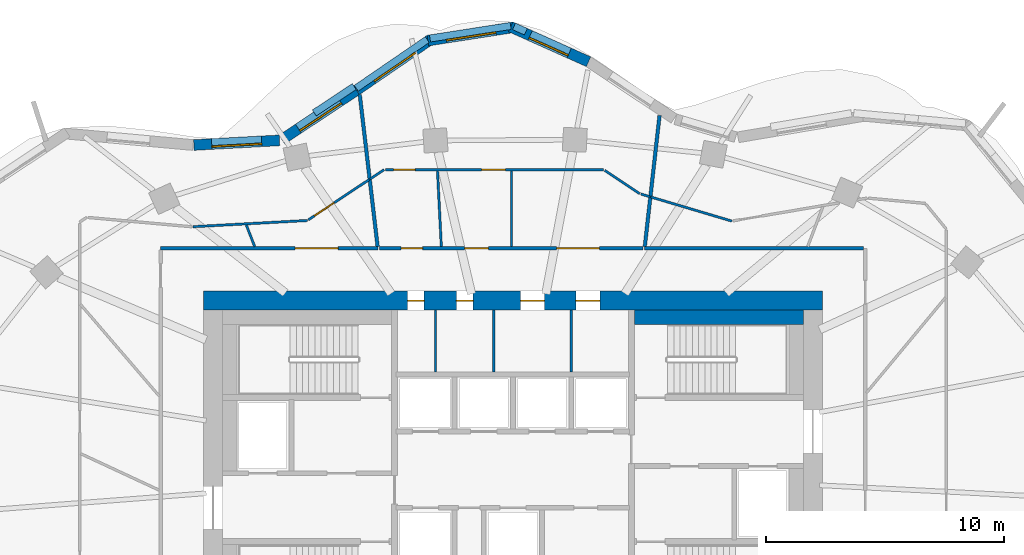
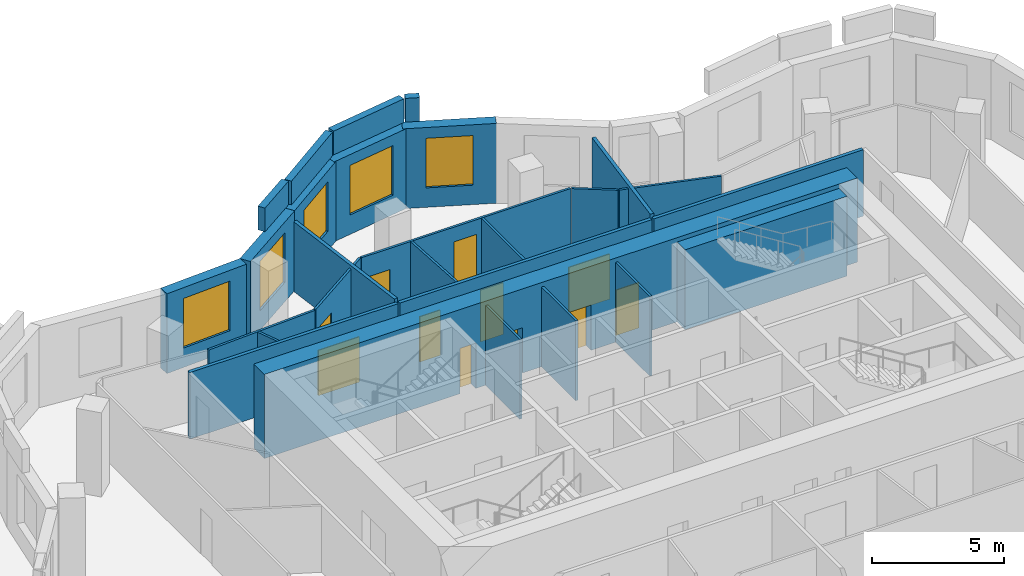
# One storey, part 7 of 9: 29 walls, 11 doors, 5 windows, 16 openings.
"""IFC4 building model written with IfcOpenShell, lengths in metres."""

from ifc_helpers import new_model, si_unit, direction, frame, frame_2d, origin, place, context, subcontext, project, spatial, rectangle, extrude, material, layer, layer_set, type_object, element, fill, save


model = new_model("IFC4")

# Units and contexts
model_context = context("Model", 3, precision=1e-05, world=origin(), true_north=direction((0.0, 1.0)))
body_context = subcontext(model_context, "Body", "Model", "MODEL_VIEW")
ifc_project = project(units=[si_unit("LENGTHUNIT", "METRE"), si_unit("AREAUNIT", "SQUARE_METRE"), si_unit("VOLUMEUNIT", "CUBIC_METRE"), si_unit("PLANEANGLEUNIT", "RADIAN"), si_unit("MASSUNIT", "GRAM", prefix="KILO")], contexts=[model_context])

# Site, building, storey
site_placement = place(None, origin())
site = spatial("IfcSite", under=ifc_project, at=site_placement, CompositionType="ELEMENT")
building_placement = place(site_placement, origin())
building = spatial("IfcBuilding", under=site, at=building_placement, Name="Rubra Terraces Tower", CompositionType="ELEMENT")
storey_placement = place(building_placement, frame((0.0, 0.0, 229.199951171875)))
storey = spatial("IfcBuildingStorey", under=building, at=storey_placement, Name="L56", CompositionType="ELEMENT", Elevation=229.199951171875)

# Wall, opening, window
ifc_material_1 = material(Name="Brick masonry red-brown", Category="masonry")
ifc_layer_1 = layer(ifc_material_1, 0.449951171875)
ifc_layer_set_1 = layer_set([ifc_layer_1], Name="Brick masonry red-brown")
wall_type_1 = type_object("IfcWallType", Name="Brick facade wall 450", PredefinedType="SOLIDWALL", material=ifc_layer_set_1)
wall_1_placement = place(storey_placement, frame((3.179443359375, 21.63623046875, 0.0), z_axis=(0.0, 0.0, 1.0), x_axis=(-0.912608353595, 0.40883492139, 0.0)))
wall_1 = element("IfcWall", 1, at=wall_1_placement, inside=storey, type_object=wall_type_1, Name="Facade wall L56 bay 10", PredefinedType="SOLIDWALL", context=body_context, shape_type="SweptSolid", body=[
    extrude(rectangle(XDim=3.584716796875, YDim=0.449951171875, at=frame_2d((1.79248046875, 0.0))), origin(), (0.0, 0.0, 1.0), 3.699951171875),
])
opening_1_placement = place(wall_1_placement, frame((0.892333984375, 0.0, 0.89990234375)))
opening_1 = element("IfcOpeningElement", 2, at=opening_1_placement, cuts=wall_1, Name="Opening W6B", PredefinedType="OPENING", context=body_context, shape_type="SweptSolid", body=[
    extrude(rectangle(XDim=1.800048828125, YDim=2.300048828125, at=frame_2d((0.89990234375, 1.14990234375))), frame((0.0, 0.23486328125, 0.0), z_axis=(0.0, -1.0, 0.0), x_axis=(1.0, 0.0, 0.0)), (0.0, 0.0, 1.0), 0.469970703125),
])
ifc_material_2 = material(Name="Clear glass in aluminium frame", Category="aluminium")
window_type_1 = type_object("IfcWindowType", Name="Fixed deep-set window at wind fin tall storey 1800 x 2300", PartitioningType="SINGLE_PANEL", PredefinedType="WINDOW", material=ifc_material_2)
window_1_placement = place(opening_1_placement, origin())
window_1 = element("IfcWindow", 3, at=window_1_placement, inside=storey, type_object=window_type_1, Name="Window L56 bay 10", OverallHeight=2.300048828125, OverallWidth=1.800048828125, PartitioningType="SINGLE_PANEL", PredefinedType="WINDOW", context=body_context, shape_type="SweptSolid", body=[
    extrude(rectangle(XDim=1.800048828125, YDim=2.300048828125, at=frame_2d((0.89990234375, 1.14990234375))), frame((0.0, 0.135009765625, 0.0), z_axis=(0.0, -1.0, 0.0), x_axis=(1.0, 0.0, 0.0)), (0.0, 0.0, 1.0), 0.06005859375),
])
fill(opening_1, window_1)

wall_2_placement = place(storey_placement, frame((0.03466796875, 23.084716796875, 0.0), z_axis=(0.0, 0.0, 1.0), x_axis=(-0.988133637562, -0.153596596054, 0.0)))
wall_2 = element("IfcWall", 4, at=wall_2_placement, inside=storey, type_object=wall_type_1, Name="Facade wall L56 bay 11", PredefinedType="SOLIDWALL", context=body_context, shape_type="SweptSolid", body=[
    extrude(rectangle(XDim=3.646240234375, YDim=0.449951171875, at=frame_2d((1.8232421875, 0.0))), origin(), (0.0, 0.0, 1.0), 3.699951171875),
])
opening_2_placement = place(wall_2_placement, frame((0.773193359375, 0.0, 0.89990234375)))
opening_2 = element("IfcOpeningElement", 5, at=opening_2_placement, cuts=wall_2, Name="Opening W1B", PredefinedType="OPENING", context=body_context, shape_type="SweptSolid", body=[
    extrude(rectangle(XDim=2.10009765625, YDim=2.300048828125, at=frame_2d((1.050048828125, 1.14990234375))), frame((0.0, 0.23486328125, 0.0), z_axis=(0.0, -1.0, 0.0), x_axis=(1.0, 0.0, 0.0)), (0.0, 0.0, 1.0), 0.469970703125),
])
window_type_2 = type_object("IfcWindowType", Name="Fixed deep-set window tall storey 2100 x 2300", PartitioningType="SINGLE_PANEL", PredefinedType="WINDOW", material=ifc_material_2)
window_2_placement = place(opening_2_placement, origin())
window_2 = element("IfcWindow", 6, at=window_2_placement, inside=storey, type_object=window_type_2, Name="Window L56 bay 11", OverallHeight=2.300048828125, OverallWidth=2.10009765625, PartitioningType="SINGLE_PANEL", PredefinedType="WINDOW", context=body_context, shape_type="SweptSolid", body=[
    extrude(rectangle(XDim=2.10009765625, YDim=2.300048828125, at=frame_2d((1.050048828125, 1.14990234375))), frame((0.0, 0.135009765625, 0.0), z_axis=(0.0, -1.0, 0.0), x_axis=(1.0, 0.0, 0.0)), (0.0, 0.0, 1.0), 0.06005859375),
])
fill(opening_2, window_2)

wall_3_placement = place(storey_placement, frame((-3.478515625, 22.559814453125, 0.0), z_axis=(0.0, 0.0, 1.0), x_axis=(-0.824722766417, -0.565537230033, 0.0)))
wall_3 = element("IfcWall", 7, at=wall_3_placement, inside=storey, type_object=wall_type_1, Name="Facade wall L56 bay 12", PredefinedType="SOLIDWALL", context=body_context, shape_type="SweptSolid", body=[
    extrude(rectangle(XDim=3.742431640625, YDim=0.449951171875, at=frame_2d((1.87109375, 0.0))), origin(), (0.0, 0.0, 1.0), 3.699951171875),
])
opening_3_placement = place(wall_3_placement, frame((0.8212890625, 0.0, 0.89990234375)))
opening_3 = element("IfcOpeningElement", 8, at=opening_3_placement, cuts=wall_3, Name="Opening W1B", PredefinedType="OPENING", context=body_context, shape_type="SweptSolid", body=[
    extrude(rectangle(XDim=2.10009765625, YDim=2.300048828125, at=frame_2d((1.050048828125, 1.14990234375))), frame((0.0, 0.23486328125, 0.0), z_axis=(0.0, -1.0, 0.0), x_axis=(1.0, 0.0, 0.0)), (0.0, 0.0, 1.0), 0.469970703125),
])
window_3_placement = place(opening_3_placement, origin())
window_3 = element("IfcWindow", 9, at=window_3_placement, inside=storey, type_object=window_type_2, Name="Window L56 bay 12", OverallHeight=2.300048828125, OverallWidth=2.10009765625, PartitioningType="SINGLE_PANEL", PredefinedType="WINDOW", context=body_context, shape_type="SweptSolid", body=[
    extrude(rectangle(XDim=2.10009765625, YDim=2.300048828125, at=frame_2d((1.050048828125, 1.14990234375))), frame((0.0, 0.135009765625, 0.0), z_axis=(0.0, -1.0, 0.0), x_axis=(1.0, 0.0, 0.0)), (0.0, 0.0, 1.0), 0.06005859375),
])
fill(opening_3, window_3)

wall_4_placement = place(storey_placement, frame((-6.568115234375, 20.44140625, 0.0), z_axis=(0.0, 0.0, 1.0), x_axis=(-0.834034214531, -0.551712723246, 0.0)))
wall_4 = element("IfcWall", 10, at=wall_4_placement, inside=storey, type_object=wall_type_1, Name="Facade wall L56 bay 13", PredefinedType="SOLIDWALL", context=body_context, shape_type="SweptSolid", body=[
    extrude(rectangle(XDim=3.75732421875, YDim=0.449951171875, at=frame_2d((1.878662109375, 0.0))), origin(), (0.0, 0.0, 1.0), 3.699951171875),
])
opening_4_placement = place(wall_4_placement, frame((0.82861328125, 0.0, 0.89990234375)))
opening_4 = element("IfcOpeningElement", 11, at=opening_4_placement, cuts=wall_4, Name="Opening W1B", PredefinedType="OPENING", context=body_context, shape_type="SweptSolid", body=[
    extrude(rectangle(XDim=2.10009765625, YDim=2.300048828125, at=frame_2d((1.050048828125, 1.14990234375))), frame((0.0, 0.23486328125, 0.0), z_axis=(0.0, -1.0, 0.0), x_axis=(1.0, 0.0, 0.0)), (0.0, 0.0, 1.0), 0.469970703125),
])
window_4_placement = place(opening_4_placement, origin())
window_4 = element("IfcWindow", 12, at=window_4_placement, inside=storey, type_object=window_type_2, Name="Window L56 bay 13", OverallHeight=2.300048828125, OverallWidth=2.10009765625, PartitioningType="SINGLE_PANEL", PredefinedType="WINDOW", context=body_context, shape_type="SweptSolid", body=[
    extrude(rectangle(XDim=2.10009765625, YDim=2.300048828125, at=frame_2d((1.050048828125, 1.14990234375))), frame((0.0, 0.135009765625, 0.0), z_axis=(0.0, -1.0, 0.0), x_axis=(1.0, 0.0, 0.0)), (0.0, 0.0, 1.0), 0.06005859375),
])
fill(opening_4, window_4)

wall_5_placement = place(storey_placement, frame((-9.80322265625, 18.333740234375, 0.0), z_axis=(0.0, 0.0, 1.0), x_axis=(-0.998525941495, -0.054276552602, 0.0)))
wall_5 = element("IfcWall", 13, at=wall_5_placement, inside=storey, type_object=wall_type_1, Name="Facade wall L56 bay 14", PredefinedType="SOLIDWALL", context=body_context, shape_type="SweptSolid", body=[
    extrude(rectangle(XDim=3.60302734375, YDim=0.449951171875, at=frame_2d((1.801513671875, 0.0))), origin(), (0.0, 0.0, 1.0), 3.699951171875),
])
opening_5_placement = place(wall_5_placement, frame((0.75146484375, 0.0, 0.89990234375)))
opening_5 = element("IfcOpeningElement", 14, at=opening_5_placement, cuts=wall_5, Name="Opening W1B", PredefinedType="OPENING", context=body_context, shape_type="SweptSolid", body=[
    extrude(rectangle(XDim=2.10009765625, YDim=2.300048828125, at=frame_2d((1.050048828125, 1.14990234375))), frame((0.0, 0.23486328125, 0.0), z_axis=(0.0, -1.0, 0.0), x_axis=(1.0, 0.0, 0.0)), (0.0, 0.0, 1.0), 0.469970703125),
])
window_5_placement = place(opening_5_placement, origin())
window_5 = element("IfcWindow", 15, at=window_5_placement, inside=storey, type_object=window_type_2, Name="Window L56 bay 14", OverallHeight=2.300048828125, OverallWidth=2.10009765625, PartitioningType="SINGLE_PANEL", PredefinedType="WINDOW", context=body_context, shape_type="SweptSolid", body=[
    extrude(rectangle(XDim=2.10009765625, YDim=2.300048828125, at=frame_2d((1.050048828125, 1.14990234375))), frame((0.0, 0.135009765625, 0.0), z_axis=(0.0, -1.0, 0.0), x_axis=(1.0, 0.0, 0.0)), (0.0, 0.0, 1.0), 0.06005859375),
])
fill(opening_5, window_5)

# Walls
ifc_layer_2 = layer(ifc_material_1, 0.300048828125)
ifc_layer_set_2 = layer_set([ifc_layer_2], Name="Brick masonry red-brown")
wall_type_2 = type_object("IfcWallType", Name="Brick parapet 300", PredefinedType="PARAPET", material=ifc_layer_set_2)
wall_6_placement = place(storey_placement, frame((0.54541015625, 22.898193359375, 3.900146484375), z_axis=(0.0, 0.0, 1.0), x_axis=(-0.912497815069, 0.409081578044, 0.0)))
element("IfcWall", 16, at=wall_6_placement, inside=storey, type_object=wall_type_2, Name="Parapet L56 bay 10", PredefinedType="PARAPET", context=body_context, shape_type="SweptSolid", body=[
    extrude(rectangle(XDim=0.546142578125, YDim=0.300048828125, at=frame_2d((0.27294921875, 0.0))), origin(), (0.0, 0.0, 1.0), 1.099853515625),
])
wall_7_placement = place(storey_placement, frame((-0.09423828125, 23.140380859375, 3.900146484375), z_axis=(0.0, 0.0, 1.0), x_axis=(-0.988150084887, -0.153490748056, 0.0)))
element("IfcWall", 17, at=wall_7_placement, inside=storey, type_object=wall_type_2, Name="Parapet L56 bay 11", PredefinedType="PARAPET", context=body_context, shape_type="SweptSolid", body=[
    extrude(rectangle(XDim=3.42919921875, YDim=0.300048828125, at=frame_2d((1.714599609375, 0.0))), origin(), (0.0, 0.0, 1.0), 1.099853515625),
])
wall_8_placement = place(storey_placement, frame((-3.59912109375, 22.56787109375, 3.900146484375), z_axis=(0.0, 0.0, 1.0), x_axis=(-0.82476034254, -0.565482428881, 0.0)))
element("IfcWall", 18, at=wall_8_placement, inside=storey, type_object=wall_type_2, Name="Parapet L56 bay 12", PredefinedType="PARAPET", context=body_context, shape_type="SweptSolid", body=[
    extrude(rectangle(XDim=3.61572265625, YDim=0.300048828125, at=frame_2d((1.807861328125, 0.0))), origin(), (0.0, 0.0, 1.0), 1.099853515625),
])
wall_9_placement = place(storey_placement, frame((-6.665283203125, 20.593017578125, 3.900146484375), z_axis=(0.0, 0.0, 1.0), x_axis=(-0.834027642059, -0.551722658843, 0.0)))
element("IfcWall", 19, at=wall_9_placement, inside=storey, type_object=wall_type_2, Name="Parapet L56 bay 13", PredefinedType="PARAPET", context=body_context, shape_type="SweptSolid", body=[
    extrude(rectangle(XDim=2.008056640625, YDim=0.300048828125, at=frame_2d((1.00390625, 0.0))), origin(), (0.0, 0.0, 1.0), 1.099853515625),
])

# Wall, openings, doors
ifc_material_3 = material(Name="Concrete C50", Category="concrete")
ifc_layer_3 = layer(ifc_material_3, 0.800048828125)
ifc_layer_set_3 = layer_set([ifc_layer_3], Name="Concrete C50")
wall_type_3 = type_object("IfcWallType", Name="CORE WALL 800 C50", PredefinedType="SHEAR", material=ifc_layer_set_3)
wall_10_placement = place(storey_placement, frame((-13.0, 11.60009765625, 0.0), z_axis=(0.0, 0.0, 1.0), x_axis=(1.0, 0.0, 0.0)))
wall_10 = element("IfcWall", 20, at=wall_10_placement, inside=storey, type_object=wall_type_3, Name="CORE WALL N L56", PredefinedType="SHEAR", context=body_context, shape_type="SweptSolid", body=[
    extrude(rectangle(XDim=26.0, YDim=0.800048828125, at=frame_2d((13.0, 0.0))), origin(), (0.0, 0.0, 1.0), 3.900146484375),
])
opening_6_placement = place(wall_10_placement, frame((8.574951171875, 0.0, 0.0)))
opening_6 = element("IfcOpeningElement", 21, at=opening_6_placement, cuts=wall_10, Name="Opening L56.C25", PredefinedType="OPENING", context=body_context, shape_type="SweptSolid", body=[
    extrude(rectangle(XDim=0.699951171875, YDim=2.10009765625, at=frame_2d((0.35009765625, 1.050048828125))), frame((0.0, 0.409912109375, 0.0), z_axis=(0.0, -1.0, 0.0), x_axis=(1.0, 0.0, 0.0)), (0.0, 0.0, 1.0), 0.820068359375),
])
opening_7_placement = place(wall_10_placement, frame((10.625, 0.0, 0.0)))
opening_7 = element("IfcOpeningElement", 22, at=opening_7_placement, cuts=wall_10, Name="Opening L56.C26", PredefinedType="OPENING", context=body_context, shape_type="SweptSolid", body=[
    extrude(rectangle(XDim=0.699951171875, YDim=2.10009765625, at=frame_2d((0.35009765625, 1.050048828125))), frame((0.0, 0.409912109375, 0.0), z_axis=(0.0, -1.0, 0.0), x_axis=(1.0, 0.0, 0.0)), (0.0, 0.0, 1.0), 0.820068359375),
])
opening_8_placement = place(wall_10_placement, frame((13.324951171875, 0.0, 0.0)))
opening_8 = element("IfcOpeningElement", 23, at=opening_8_placement, cuts=wall_10, Name="Opening L56.C27", PredefinedType="OPENING", context=body_context, shape_type="SweptSolid", body=[
    extrude(rectangle(XDim=1.0, YDim=2.10009765625, at=frame_2d((0.5, 1.050048828125))), frame((0.0, 0.409912109375, 0.0), z_axis=(0.0, -1.0, 0.0), x_axis=(1.0, 0.0, 0.0)), (0.0, 0.0, 1.0), 0.820068359375),
])
opening_9_placement = place(wall_10_placement, frame((15.64990234375, 0.0, 0.0)))
opening_9 = element("IfcOpeningElement", 24, at=opening_9_placement, cuts=wall_10, Name="Opening L56.C28", PredefinedType="OPENING", context=body_context, shape_type="SweptSolid", body=[
    extrude(rectangle(XDim=1.0, YDim=2.10009765625, at=frame_2d((0.5, 1.050048828125))), frame((0.0, 0.409912109375, 0.0), z_axis=(0.0, -1.0, 0.0), x_axis=(1.0, 0.0, 0.0)), (0.0, 0.0, 1.0), 0.820068359375),
])
ifc_material_4 = material(Name="Painted steel", Category="steel")
door_type_1 = type_object("IfcDoorType", Name="Fire door 1000x2100 single", OperationType="NOTDEFINED", PredefinedType="DOOR", material=ifc_material_4)
door_1_placement = place(opening_8_placement, origin())
door_1 = element("IfcDoor", 25, at=door_1_placement, inside=storey, type_object=door_type_1, Name="Tea point door", OperationType="SINGLE_SWING_LEFT", OverallHeight=2.10009765625, OverallWidth=1.0, PredefinedType="DOOR", context=body_context, shape_type="SweptSolid", body=[
    extrude(rectangle(XDim=1.0, YDim=2.10009765625, at=frame_2d((0.5, 1.050048828125))), frame((0.0, 0.02490234375, 0.0), z_axis=(0.0, -1.0, 0.0), x_axis=(1.0, 0.0, 0.0)), (0.0, 0.0, 1.0), 0.050048828125),
])
fill(opening_8, door_1)
door_2_placement = place(opening_9_placement, origin())
door_2 = element("IfcDoor", 26, at=door_2_placement, inside=storey, type_object=door_type_1, Name="Refuse room door", OperationType="SINGLE_SWING_RIGHT", OverallHeight=2.10009765625, OverallWidth=1.0, PredefinedType="DOOR", context=body_context, shape_type="SweptSolid", body=[
    extrude(rectangle(XDim=1.0, YDim=2.10009765625, at=frame_2d((0.5, 1.050048828125))), frame((0.0, 0.02490234375, 0.0), z_axis=(0.0, -1.0, 0.0), x_axis=(1.0, 0.0, 0.0)), (0.0, 0.0, 1.0), 0.050048828125),
])
fill(opening_9, door_2)
door_type_2 = type_object("IfcDoorType", Name="Riser access door 700x2100 single", OperationType="NOTDEFINED", PredefinedType="DOOR", material=ifc_material_4)
door_3_placement = place(opening_6_placement, origin())
door_3 = element("IfcDoor", 27, at=door_3_placement, inside=storey, type_object=door_type_2, Name="Telecoms room door", OperationType="SINGLE_SWING_LEFT", OverallHeight=2.10009765625, OverallWidth=0.699951171875, PredefinedType="DOOR", context=body_context, shape_type="SweptSolid", body=[
    extrude(rectangle(XDim=0.699951171875, YDim=2.10009765625, at=frame_2d((0.35009765625, 1.050048828125))), frame((0.0, 0.02490234375, 0.0), z_axis=(0.0, -1.0, 0.0), x_axis=(1.0, 0.0, 0.0)), (0.0, 0.0, 1.0), 0.050048828125),
])
fill(opening_6, door_3)
door_4_placement = place(opening_7_placement, origin())
door_4 = element("IfcDoor", 28, at=door_4_placement, inside=storey, type_object=door_type_2, Name="Electrical riser room door", OperationType="SINGLE_SWING_RIGHT", OverallHeight=2.10009765625, OverallWidth=0.699951171875, PredefinedType="DOOR", context=body_context, shape_type="SweptSolid", body=[
    extrude(rectangle(XDim=0.699951171875, YDim=2.10009765625, at=frame_2d((0.35009765625, 1.050048828125))), frame((0.0, 0.02490234375, 0.0), z_axis=(0.0, -1.0, 0.0), x_axis=(1.0, 0.0, 0.0)), (0.0, 0.0, 1.0), 0.050048828125),
])
fill(opening_7, door_4)

# Wall, opening, door
ifc_material_5 = material(Name="Plasterboard on steel stud, mineral wool infill", Category="steel")
ifc_layer_4 = layer(ifc_material_5, 0.14990234375)
ifc_layer_set_4 = layer_set([ifc_layer_4], Name="Plasterboard on steel stud, mineral wool infill")
wall_type_4 = type_object("IfcWallType", Name="CORRIDOR PARTITION 150", PredefinedType="PARTITIONING", material=ifc_layer_set_4)
wall_11_placement = place(storey_placement, frame((-5.673583984375, 13.800048828125, 0.0), z_axis=(0.0, 0.0, 1.0), x_axis=(-1.0, 0.0, 0.0)))
wall_11 = element("IfcWall", 29, at=wall_11_placement, inside=storey, type_object=wall_type_4, Name="PARTITION", PredefinedType="PARTITIONING", context=body_context, shape_type="SweptSolid", body=[
    extrude(rectangle(XDim=9.12646484375, YDim=0.14990234375, at=frame_2d((4.563232421875, 0.0))), origin(), (0.0, 0.0, 1.0), 3.083984375),
])
opening_10_placement = place(wall_11_placement, frame((1.672119140625, 0.0, 0.0)))
opening_10 = element("IfcOpeningElement", 30, at=opening_10_placement, cuts=wall_11, Name="Opening 56-101", PredefinedType="OPENING", context=body_context, shape_type="SweptSolid", body=[
    extrude(rectangle(XDim=1.800048828125, YDim=2.10009765625, at=frame_2d((0.89990234375, 1.050048828125))), frame((0.0, 0.0849609375, 0.0), z_axis=(0.0, -1.0, 0.0), x_axis=(1.0, 0.0, 0.0)), (0.0, 0.0, 1.0), 0.169921875),
])
ifc_material_6 = material(Name="Painted timber door leaf, double", Category="wood")
door_type_3 = type_object("IfcDoorType", Name="ROOM DOUBLE DOOR 1800 X 2100", OperationType="DOUBLE_DOOR_SINGLE_SWING", PredefinedType="DOOR", material=ifc_material_6)
door_5_placement = place(opening_10_placement, origin())
door_5 = element("IfcDoor", 31, at=door_5_placement, inside=storey, type_object=door_type_3, Name="DOOR 56-101", OperationType="DOUBLE_DOOR_SINGLE_SWING", OverallHeight=2.10009765625, OverallWidth=1.800048828125, PredefinedType="DOOR", context=body_context, shape_type="SweptSolid", body=[
    extrude(rectangle(XDim=1.800048828125, YDim=2.10009765625, at=frame_2d((0.89990234375, 1.050048828125))), frame((0.0, 0.02490234375, 0.0), z_axis=(0.0, -1.0, 0.0), x_axis=(1.0, 0.0, 0.0)), (0.0, 0.0, 1.0), 0.050048828125),
])
fill(opening_10, door_5)

# Wall
wall_12_placement = place(storey_placement, frame((14.72509765625, 13.800048828125, 0.0), z_axis=(0.0, 0.0, 1.0), x_axis=(-1.0, 0.0, 0.0)))
element("IfcWall", 32, at=wall_12_placement, inside=storey, type_object=wall_type_4, Name="PARTITION", PredefinedType="PARTITIONING", context=body_context, shape_type="SweptSolid", body=[
    extrude(rectangle(XDim=9.1923828125, YDim=0.14990234375, at=frame_2d((4.59619140625, 0.0))), origin(), (0.0, 0.0, 1.0), 3.083984375),
])

# Wall, openings, doors
wall_13_placement = place(storey_placement, frame((5.457763671875, 13.800048828125, 0.0), z_axis=(0.0, 0.0, 1.0), x_axis=(-1.0, 0.0, 0.0)))
wall_13 = element("IfcWall", 33, at=wall_13_placement, inside=storey, type_object=wall_type_4, Name="PARTITION", PredefinedType="PARTITIONING", context=body_context, shape_type="SweptSolid", body=[
    extrude(rectangle(XDim=11.05615234375, YDim=0.14990234375, at=frame_2d((5.528076171875, 0.0))), origin(), (0.0, 0.0, 1.0), 3.083984375),
])
opening_11_placement = place(wall_13_placement, frame((1.820068359375, 0.0, 0.0)))
opening_11 = element("IfcOpeningElement", 34, at=opening_11_placement, cuts=wall_13, Name="Opening 56-120", PredefinedType="OPENING", context=body_context, shape_type="SweptSolid", body=[
    extrude(rectangle(XDim=1.800048828125, YDim=2.10009765625, at=frame_2d((0.89990234375, 1.050048828125))), frame((0.0, 0.0849609375, 0.0), z_axis=(0.0, -1.0, 0.0), x_axis=(1.0, 0.0, 0.0)), (0.0, 0.0, 1.0), 0.169921875),
])
opening_12_placement = place(wall_13_placement, frame((6.488037109375, 0.0, 0.0)))
opening_12 = element("IfcOpeningElement", 35, at=opening_12_placement, cuts=wall_13, Name="Opening 56-121", PredefinedType="OPENING", context=body_context, shape_type="SweptSolid", body=[
    extrude(rectangle(XDim=1.0, YDim=2.39990234375, at=frame_2d((0.5, 1.199951171875))), frame((0.0, 0.0849609375, 0.0), z_axis=(0.0, -1.0, 0.0), x_axis=(1.0, 0.0, 0.0)), (0.0, 0.0, 1.0), 0.169921875),
])
opening_13_placement = place(wall_13_placement, frame((9.25, 0.0, 0.0)))
opening_13 = element("IfcOpeningElement", 36, at=opening_13_placement, cuts=wall_13, Name="Opening 56-124", PredefinedType="OPENING", context=body_context, shape_type="SweptSolid", body=[
    extrude(rectangle(XDim=0.89990234375, YDim=2.10009765625, at=frame_2d((0.449951171875, 1.050048828125))), frame((0.0, 0.0849609375, 0.0), z_axis=(0.0, -1.0, 0.0), x_axis=(1.0, 0.0, 0.0)), (0.0, 0.0, 1.0), 0.169921875),
])
ifc_material_7 = material(Name="Painted timber door leaf", Category="wood")
door_type_4 = type_object("IfcDoorType", Name="BATHROOM DOOR 900 X 2100", OperationType="SINGLE_SWING_LEFT", PredefinedType="DOOR", material=ifc_material_7)
door_6_placement = place(opening_13_placement, origin())
door_6 = element("IfcDoor", 37, at=door_6_placement, inside=storey, type_object=door_type_4, Name="DOOR 56-124", OperationType="SINGLE_SWING_RIGHT", OverallHeight=2.10009765625, OverallWidth=0.89990234375, PredefinedType="DOOR", context=body_context, shape_type="SweptSolid", body=[
    extrude(rectangle(XDim=0.89990234375, YDim=2.10009765625, at=frame_2d((0.449951171875, 1.050048828125))), frame((0.0, 0.02490234375, 0.0), z_axis=(0.0, -1.0, 0.0), x_axis=(1.0, 0.0, 0.0)), (0.0, 0.0, 1.0), 0.050048828125),
])
fill(opening_13, door_6)
ifc_material_8 = material(Name="Glazed aluminium meeting door leaf", Category="aluminium")
door_type_5 = type_object("IfcDoorType", Name="MEETING ROOM GLAZED DOOR 1000 X 2400", OperationType="SINGLE_SWING_LEFT", PredefinedType="DOOR", material=ifc_material_8)
door_7_placement = place(opening_12_placement, origin())
door_7 = element("IfcDoor", 38, at=door_7_placement, inside=storey, type_object=door_type_5, Name="DOOR 56-121", OperationType="SINGLE_SWING_RIGHT", OverallHeight=2.39990234375, OverallWidth=1.0, PredefinedType="DOOR", context=body_context, shape_type="SweptSolid", body=[
    extrude(rectangle(XDim=1.0, YDim=2.39990234375, at=frame_2d((0.5, 1.199951171875))), frame((0.0, 0.02490234375, 0.0), z_axis=(0.0, -1.0, 0.0), x_axis=(1.0, 0.0, 0.0)), (0.0, 0.0, 1.0), 0.050048828125),
])
fill(opening_12, door_7)
door_8_placement = place(opening_11_placement, origin())
door_8 = element("IfcDoor", 39, at=door_8_placement, inside=storey, type_object=door_type_3, Name="DOOR 56-120", OperationType="DOUBLE_DOOR_SINGLE_SWING", OverallHeight=2.10009765625, OverallWidth=1.800048828125, PredefinedType="DOOR", context=body_context, shape_type="SweptSolid", body=[
    extrude(rectangle(XDim=1.800048828125, YDim=2.10009765625, at=frame_2d((0.89990234375, 1.050048828125))), frame((0.0, 0.02490234375, 0.0), z_axis=(0.0, -1.0, 0.0), x_axis=(1.0, 0.0, 0.0)), (0.0, 0.0, 1.0), 0.050048828125),
])
fill(opening_11, door_8)

# Walls
ifc_material_9 = material(Name="Concrete C40", Category="concrete")
ifc_layer_5 = layer(ifc_material_9, 0.60009765625)
ifc_layer_set_5 = layer_set([ifc_layer_5], Name="Concrete C40")
wall_type_5 = type_object("IfcWallType", Name="Core lining wall 600 concrete", PredefinedType="SOLIDWALL", material=ifc_layer_set_5)
wall_14_placement = place(storey_placement, frame((12.199951171875, 10.89990234375, 0.0), z_axis=(0.0, 0.0, 1.0), x_axis=(-1.0, 0.0, 0.0)))
element("IfcWall", 40, at=wall_14_placement, inside=storey, type_object=wall_type_5, Name="CORE LINING WALL L56", PredefinedType="SOLIDWALL", context=body_context, shape_type="SweptSolid", body=[
    extrude(rectangle(XDim=7.099853515625, YDim=0.60009765625, at=frame_2d((3.5498046875, 0.0))), origin(), (0.0, 0.0, 1.0), 3.699951171875),
])
ifc_material_10 = material(Name="Plasterboard on steel stud", Category="steel")
ifc_layer_6 = layer(ifc_material_10, 0.10009765625)
ifc_layer_set_6 = layer_set([ifc_layer_6], Name="Plasterboard on steel stud")
wall_type_6 = type_object("IfcWallType", Name="ROOM PARTITION 100", PredefinedType="PARTITIONING", material=ifc_layer_set_6)
wall_15_placement = place(storey_placement, frame((-13.436767578125, 14.706298828125, 0.0), z_axis=(0.0, 0.0, 1.0), x_axis=(0.998525882111, 0.054277645072, 0.0)))
element("IfcWall", 41, at=wall_15_placement, inside=storey, type_object=wall_type_6, Name="PARTITION", PredefinedType="PARTITIONING", context=body_context, shape_type="SweptSolid", body=[
    extrude(rectangle(XDim=4.808349609375, YDim=0.10009765625, at=frame_2d((2.404296875, 0.0))), origin(), (0.0, 0.0, 1.0), 3.083984375),
])

# Wall, opening, door
wall_16_placement = place(storey_placement, frame((-8.59375, 14.9951171875, 0.0), z_axis=(0.0, 0.0, 1.0), x_axis=(0.834051692878, 0.5516863, 0.0)))
wall_16 = element("IfcWall", 42, at=wall_16_placement, inside=storey, type_object=wall_type_6, Name="PARTITION", PredefinedType="PARTITIONING", context=body_context, shape_type="SweptSolid", body=[
    extrude(rectangle(XDim=3.0693359375, YDim=0.10009765625, at=frame_2d((1.53466796875, 0.0))), origin(), (0.0, 0.0, 1.0), 3.083984375),
])
opening_14_placement = place(wall_16_placement, frame((0.300048828125, 0.0, 0.0)))
opening_14 = element("IfcOpeningElement", 43, at=opening_14_placement, cuts=wall_16, Name="Opening 56-102", PredefinedType="OPENING", context=body_context, shape_type="SweptSolid", body=[
    extrude(rectangle(XDim=1.0, YDim=2.10009765625, at=frame_2d((0.5, 1.050048828125))), frame((0.0, 0.06005859375, 0.0), z_axis=(0.0, -1.0, 0.0), x_axis=(1.0, 0.0, 0.0)), (0.0, 0.0, 1.0), 0.1201171875),
])
door_type_6 = type_object("IfcDoorType", Name="ROOM DOOR 1000 X 2100", OperationType="SINGLE_SWING_LEFT", PredefinedType="DOOR", material=ifc_material_7)
door_9_placement = place(opening_14_placement, origin())
door_9 = element("IfcDoor", 44, at=door_9_placement, inside=storey, type_object=door_type_6, Name="DOOR 56-102", OperationType="SINGLE_SWING_LEFT", OverallHeight=2.10009765625, OverallWidth=1.0, PredefinedType="DOOR", context=body_context, shape_type="SweptSolid", body=[
    extrude(rectangle(XDim=1.0, YDim=2.10009765625, at=frame_2d((0.5, 1.050048828125))), frame((0.0, 0.02490234375, 0.0), z_axis=(0.0, -1.0, 0.0), x_axis=(1.0, 0.0, 0.0)), (0.0, 0.0, 1.0), 0.050048828125),
])
fill(opening_14, door_9)

# Walls
wall_17_placement = place(storey_placement, frame((-10.8447265625, 13.869873046875, 0.0), z_axis=(0.0, 0.0, 1.0), x_axis=(-0.362759705936, 0.931882715662, 0.0)))
element("IfcWall", 45, at=wall_17_placement, inside=storey, type_object=wall_type_6, Name="PARTITION", PredefinedType="PARTITIONING", context=body_context, shape_type="SweptSolid", body=[
    extrude(rectangle(XDim=0.977294921875, YDim=0.10009765625, at=frame_2d((0.48876953125, 0.0))), origin(), (0.0, 0.0, 1.0), 3.083984375),
])
wall_18_placement = place(storey_placement, frame((5.79541015625, 15.954345703125, 0.0), z_axis=(0.0, 0.0, 1.0), x_axis=(0.95851298226, -0.285048877981, 0.0)))
element("IfcWall", 46, at=wall_18_placement, inside=storey, type_object=wall_type_6, Name="PARTITION", PredefinedType="PARTITIONING", context=body_context, shape_type="SweptSolid", body=[
    extrude(rectangle(XDim=3.547607421875, YDim=0.10009765625, at=frame_2d((1.77392578125, 0.0))), origin(), (0.0, 0.0, 1.0), 3.083984375),
])
wall_19_placement = place(storey_placement, frame((-5.99609375, 16.713134765625, 0.0), z_axis=(0.0, 0.0, 1.0), x_axis=(0.833814325364, 0.55204498985, 0.0)))
element("IfcWall", 47, at=wall_19_placement, inside=storey, type_object=wall_type_6, Name="PARTITION", PredefinedType="PARTITIONING", context=body_context, shape_type="SweptSolid", body=[
    extrude(rectangle(XDim=0.700927734375, YDim=0.10009765625, at=frame_2d((0.3505859375, 0.0))), origin(), (0.0, 0.0, 1.0), 3.083984375),
])

# Wall, openings, doors
wall_20_placement = place(storey_placement, frame((-5.361572265625, 17.10009765625, 0.0), z_axis=(0.0, 0.0, 1.0), x_axis=(1.0, 0.0, 0.0)))
wall_20 = element("IfcWall", 48, at=wall_20_placement, inside=storey, type_object=wall_type_6, Name="PARTITION", PredefinedType="PARTITIONING", context=body_context, shape_type="SweptSolid", body=[
    extrude(rectangle(XDim=9.1748046875, YDim=0.10009765625, at=frame_2d((4.58740234375, 0.0))), origin(), (0.0, 0.0, 1.0), 3.083984375),
])
opening_15_placement = place(wall_20_placement, frame((0.35009765625, 0.0, 0.0)))
opening_15 = element("IfcOpeningElement", 49, at=opening_15_placement, cuts=wall_20, Name="Opening 56-122", PredefinedType="OPENING", context=body_context, shape_type="SweptSolid", body=[
    extrude(rectangle(XDim=0.89990234375, YDim=2.10009765625, at=frame_2d((0.449951171875, 1.050048828125))), frame((0.0, 0.06005859375, 0.0), z_axis=(0.0, -1.0, 0.0), x_axis=(1.0, 0.0, 0.0)), (0.0, 0.0, 1.0), 0.1201171875),
])
opening_16_placement = place(wall_20_placement, frame((4.050048828125, 0.0, 0.0)))
opening_16 = element("IfcOpeningElement", 50, at=opening_16_placement, cuts=wall_20, Name="Opening 56-123", PredefinedType="OPENING", context=body_context, shape_type="SweptSolid", body=[
    extrude(rectangle(XDim=1.0, YDim=2.39990234375, at=frame_2d((0.5, 1.199951171875))), frame((0.0, 0.06005859375, 0.0), z_axis=(0.0, -1.0, 0.0), x_axis=(1.0, 0.0, 0.0)), (0.0, 0.0, 1.0), 0.1201171875),
])
door_10_placement = place(opening_16_placement, origin())
door_10 = element("IfcDoor", 51, at=door_10_placement, inside=storey, type_object=door_type_5, Name="DOOR 56-123", OperationType="SINGLE_SWING_LEFT", OverallHeight=2.39990234375, OverallWidth=1.0, PredefinedType="DOOR", context=body_context, shape_type="SweptSolid", body=[
    extrude(rectangle(XDim=1.0, YDim=2.39990234375, at=frame_2d((0.5, 1.199951171875))), frame((0.0, 0.02490234375, 0.0), z_axis=(0.0, -1.0, 0.0), x_axis=(1.0, 0.0, 0.0)), (0.0, 0.0, 1.0), 0.050048828125),
])
fill(opening_16, door_10)
door_type_7 = type_object("IfcDoorType", Name="ROOM DOOR 900 X 2100", OperationType="SINGLE_SWING_LEFT", PredefinedType="DOOR", material=ifc_material_7)
door_11_placement = place(opening_15_placement, origin())
door_11 = element("IfcDoor", 52, at=door_11_placement, inside=storey, type_object=door_type_7, Name="DOOR 56-122", OperationType="SINGLE_SWING_LEFT", OverallHeight=2.10009765625, OverallWidth=0.89990234375, PredefinedType="DOOR", context=body_context, shape_type="SweptSolid", body=[
    extrude(rectangle(XDim=0.89990234375, YDim=2.10009765625, at=frame_2d((0.449951171875, 1.050048828125))), frame((0.0, 0.02490234375, 0.0), z_axis=(0.0, -1.0, 0.0), x_axis=(1.0, 0.0, 0.0)), (0.0, 0.0, 1.0), 0.050048828125),
])
fill(opening_15, door_11)

# Walls
wall_21_placement = place(storey_placement, frame((3.85498046875, 17.072265625, 0.0), z_axis=(0.0, 0.0, 1.0), x_axis=(0.832961782109, -0.553330524683, 0.0)))
element("IfcWall", 53, at=wall_21_placement, inside=storey, type_object=wall_type_6, Name="PARTITION", PredefinedType="PARTITIONING", context=body_context, shape_type="SweptSolid", body=[
    extrude(rectangle(XDim=1.769775390625, YDim=0.10009765625, at=frame_2d((0.884765625, 0.0))), origin(), (0.0, 0.0, 1.0), 3.083984375),
])
wall_22_placement = place(storey_placement, frame((5.377197265625, 16.078857421875, 0.0), z_axis=(0.0, 0.0, 1.0), x_axis=(0.958536356279, -0.284970268083, 0.0)))
element("IfcWall", 54, at=wall_22_placement, inside=storey, type_object=wall_type_6, Name="PARTITION", PredefinedType="PARTITIONING", context=body_context, shape_type="SweptSolid", body=[
    extrude(rectangle(XDim=0.395751953125, YDim=0.10009765625, at=frame_2d((0.19775390625, 0.0))), origin(), (0.0, 0.0, 1.0), 3.083984375),
])
wall_23_placement = place(storey_placement, frame((-0.05712890625, 13.875, 0.0), z_axis=(0.0, 0.0, 1.0), x_axis=(-0.000615147904, 0.999999810797, 0.0)))
element("IfcWall", 55, at=wall_23_placement, inside=storey, type_object=wall_type_6, Name="PARTITION", PredefinedType="PARTITIONING", context=body_context, shape_type="SweptSolid", body=[
    extrude(rectangle(XDim=3.175048828125, YDim=0.10009765625, at=frame_2d((1.58740234375, 0.0))), origin(), (0.0, 0.0, 1.0), 3.083984375),
])
wall_24_placement = place(storey_placement, frame((-3.006591796875, 13.875, 0.0), z_axis=(0.0, 0.0, 1.0), x_axis=(-0.050454687636, 0.998726351157, 0.0)))
element("IfcWall", 56, at=wall_24_placement, inside=storey, type_object=wall_type_6, Name="PARTITION", PredefinedType="PARTITIONING", context=body_context, shape_type="SweptSolid", body=[
    extrude(rectangle(XDim=3.17919921875, YDim=0.10009765625, at=frame_2d((1.589599609375, 0.0))), origin(), (0.0, 0.0, 1.0), 3.083984375),
])
ifc_layer_7 = layer(ifc_material_10, 0.14990234375)
ifc_layer_set_7 = layer_set([ifc_layer_7], Name="Plasterboard on steel stud")
wall_type_7 = type_object("IfcWallType", Name="ROOM PARTITION 150", PredefinedType="PARTITIONING", material=ifc_layer_set_7)
wall_25_placement = place(storey_placement, frame((-6.433349609375, 20.256103515625, 0.0), z_axis=(0.0, 0.0, 1.0), x_axis=(0.116872110209, -0.993146972938, 0.0)))
element("IfcWall", 57, at=wall_25_placement, inside=storey, type_object=wall_type_7, Name="PARTITION", PredefinedType="PARTITIONING", context=body_context, shape_type="SweptSolid", body=[
    extrude(rectangle(XDim=6.425537109375, YDim=0.14990234375, at=frame_2d((3.212890625, 0.0))), origin(), (0.0, 0.0, 1.0), 3.234130859375),
])
wall_26_placement = place(storey_placement, frame((6.160888671875, 19.37744140625, 0.0), z_axis=(0.0, 0.0, 1.0), x_axis=(-0.11193626313, -0.993715388326, 0.0)))
element("IfcWall", 58, at=wall_26_placement, inside=storey, type_object=wall_type_7, Name="PARTITION", PredefinedType="PARTITIONING", context=body_context, shape_type="SweptSolid", body=[
    extrude(rectangle(XDim=5.537841796875, YDim=0.14990234375, at=frame_2d((2.76904296875, 0.0))), origin(), (0.0, 0.0, 1.0), 3.234130859375),
])
ifc_material_11 = material(Name="Blockwork", Category="masonry")
ifc_layer_8 = layer(ifc_material_11, 0.10009765625)
ifc_layer_set_8 = layer_set([ifc_layer_8], Name="Blockwork")
wall_type_8 = type_object("IfcWallType", Name="Service partition 100 blockwork", PredefinedType="PARTITIONING", material=ifc_layer_set_8)
for number, where, z_axis, x_axis, name in (
    (59, (-3.25, 8.60009765625, 0.0), (0.0, 0.0, 1.0), (0.0, 1.0, 0.0), "SERVICE ROOM PARTITION L56"),
    (60, (-0.800048828125, 8.60009765625, 0.0), (0.0, 0.0, 1.0), (0.0, 1.0, 0.0), "SERVICE ROOM PARTITION L56"),
    (61, (2.449951171875, 8.60009765625, 0.0), (0.0, 0.0, 1.0), (0.0, 1.0, 0.0), "SERVICE ROOM PARTITION L56"),
):
    element("IfcWall", number, at=place(storey_placement, frame(where, z_axis=z_axis, x_axis=x_axis)), inside=storey, type_object=wall_type_8, Name=name, PredefinedType="PARTITIONING", context=body_context, shape_type="SweptSolid", body=[
        extrude(rectangle(XDim=2.599853515625, YDim=0.10009765625, at=frame_2d((1.2998046875, 0.0))), origin(), (0.0, 0.0, 1.0), 3.699951171875),
    ])

save(model, "model.ifc")
